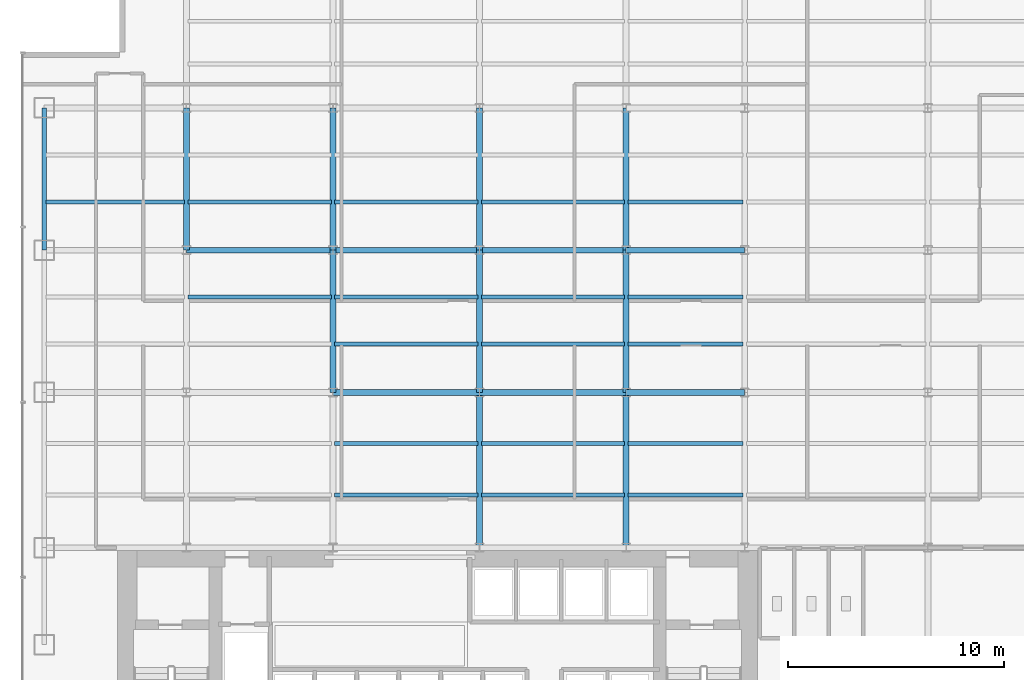
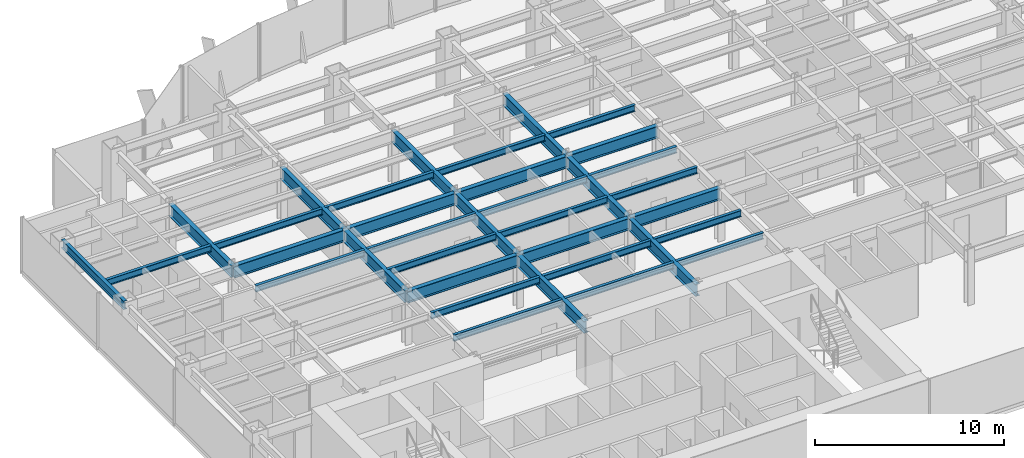
# One storey, part 5 of 22: 35 beams.
"""IFC4 building model written with IfcOpenShell, lengths in metres."""

from ifc_helpers import new_model, si_unit, derived_unit, direction, frame, origin, origin_2d, place, context, subcontext, project, spatial, i_section, extrude, source, transform, mapped, material, material_profile, profile_set, type_object, element, save


model = new_model("IFC4")

# Units and contexts
model_context = context("Model", 3, precision=1e-05, world=origin(), true_north=direction((0.0, 1.0)))
body_context = subcontext(model_context, "Body", "Model", "MODEL_VIEW")
ifc_project = project(units=[si_unit("LENGTHUNIT", "METRE"), si_unit("AREAUNIT", "SQUARE_METRE"), si_unit("VOLUMEUNIT", "CUBIC_METRE"), si_unit("PLANEANGLEUNIT", "RADIAN"), si_unit("MASSUNIT", "GRAM", prefix="KILO"), derived_unit("THERMALTRANSMITTANCEUNIT", [(si_unit("POWERUNIT", "WATT"), 1), (si_unit("LENGTHUNIT", "METRE"), -2), (si_unit("THERMODYNAMICTEMPERATUREUNIT", "KELVIN"), -1)])], contexts=[model_context])

# Site, building, storey
site_placement = place(None, origin())
site = spatial("IfcSite", under=ifc_project, at=site_placement, CompositionType="ELEMENT")
building_placement = place(site_placement, origin())
building = spatial("IfcBuilding", under=site, at=building_placement, Name="Skarnbrae Concourse Arena and Tower", CompositionType="ELEMENT")
storey_placement = place(building_placement, frame((0.0, 0.0, 32.5)))
storey = spatial("IfcBuildingStorey", under=building, at=storey_placement, Name="L06", CompositionType="ELEMENT", Elevation=32.5)

# Beams
ifc_material = material(Name="Steel CSA G40.21 350W", Category="steel")
ifc_material_profile_1 = material_profile(ifc_material, i_section(OverallWidth=0.26806640625, OverallDepth=0.77001953125, WebThickness=0.015625, FlangeThickness=0.025390625, at=origin_2d()), Name="W760X196")
ifc_profile_set_1 = profile_set([ifc_material_profile_1], Name="Steel CSA G40.21 350W")
beam_type_1 = type_object("IfcBeamType", Name="BM-GIRD-W760X196", PredefinedType="BEAM", material=ifc_profile_set_1)
shared_shape_1 = source(origin(), body_context, "Body", "SweptSolid", [
    extrude(i_section(OverallWidth=0.26806640625, OverallDepth=0.77001953125, WebThickness=0.015625, FlangeThickness=0.025390625, at=origin_2d()), origin(), (0.0, 0.0, 1.0), 6.60009765625),
])
for number, where, z_axis, x_axis, name in (
    (1, (14.39990234375, 21.199951171875, 3.014892578125), (0.0, 1.0, 0.0), (-1.0, 0.0, 0.0), "L06 Primary N-S girder X14.4-2"),
    (2, (21.199951171875, 21.199951171875, 3.014892578125), (0.0, 1.0, 0.0), (-1.0, 0.0, 0.0), "L06 Primary N-S girder X21.2-2"),
    (3, (28.0, 21.199951171875, 3.014892578125), (0.0, 1.0, 0.0), (-1.0, 0.0, 0.0), "L06 Primary N-S girder X28.0-2"),
):
    element("IfcBeam", number, at=place(storey_placement, frame(where, z_axis=z_axis, x_axis=x_axis)), inside=storey, type_object=beam_type_1, Name=name, PredefinedType="BEAM", context=body_context, shape_type="MappedRepresentation", body=[
        mapped(shared_shape_1, transform((0.0, 0.0, 0.0))),
    ])
shared_shape_2 = source(origin(), body_context, "Body", "SweptSolid", [
    extrude(i_section(OverallWidth=0.26806640625, OverallDepth=0.77001953125, WebThickness=0.015625, FlangeThickness=0.025390625, at=origin_2d()), origin(), (0.0, 0.0, 1.0), 6.7998046875),
])
beam_1_placement = place(storey_placement, frame((7.60009765625, 27.800048828125, 3.014892578125), z_axis=(1.0, 0.0, 0.0), x_axis=(0.0, 1.0, 0.0)))
element("IfcBeam", 4, at=beam_1_placement, inside=storey, type_object=beam_type_1, Name="L06 Primary E-W girder Y27.8-2", PredefinedType="BEAM", context=body_context, shape_type="MappedRepresentation", body=[
    mapped(shared_shape_2, transform((0.0, 0.0, 0.0))),
])
shared_shape_3 = source(origin(), body_context, "Body", "SweptSolid", [
    extrude(i_section(OverallWidth=0.26806640625, OverallDepth=0.77001953125, WebThickness=0.015625, FlangeThickness=0.025390625, at=origin_2d()), origin(), (0.0, 0.0, 1.0), 6.800048828125),
])
for number, where, z_axis, x_axis, name in (
    (5, (14.39990234375, 21.199951171875, 3.014892578125), (1.0, 0.0, 0.0), (0.0, 1.0, 0.0), "L06 Primary E-W girder Y21.2-3"),
    (6, (21.199951171875, 21.199951171875, 3.014892578125), (1.0, 0.0, 0.0), (0.0, 1.0, 0.0), "L06 Primary E-W girder Y21.2-4"),
    (7, (14.39990234375, 27.800048828125, 3.014892578125), (1.0, 0.0, 0.0), (0.0, 1.0, 0.0), "L06 Primary E-W girder Y27.8-3"),
    (8, (21.199951171875, 27.800048828125, 3.014892578125), (1.0, 0.0, 0.0), (0.0, 1.0, 0.0), "L06 Primary E-W girder Y27.8-4"),
):
    element("IfcBeam", number, at=place(storey_placement, frame(where, z_axis=z_axis, x_axis=x_axis)), inside=storey, type_object=beam_type_1, Name=name, PredefinedType="BEAM", context=body_context, shape_type="MappedRepresentation", body=[
        mapped(shared_shape_3, transform((0.0, 0.0, 0.0))),
    ])
shared_shape_4 = source(origin(), body_context, "Body", "SweptSolid", [
    extrude(i_section(OverallWidth=0.26806640625, OverallDepth=0.77001953125, WebThickness=0.015625, FlangeThickness=0.025390625, at=origin_2d()), origin(), (0.0, 0.0, 1.0), 5.5),
])
for number, where, z_axis, x_axis, name in (
    (9, (28.0, 21.199951171875, 3.014892578125), (1.0, 0.0, 0.0), (0.0, 1.0, 0.0), "L06 Primary E-W girder Y21.2-5"),
    (10, (28.0, 27.800048828125, 3.014892578125), (1.0, 0.0, 0.0), (0.0, 1.0, 0.0), "L06 Primary E-W girder Y27.8-5"),
):
    element("IfcBeam", number, at=place(storey_placement, frame(where, z_axis=z_axis, x_axis=x_axis)), inside=storey, type_object=beam_type_1, Name=name, PredefinedType="BEAM", context=body_context, shape_type="MappedRepresentation", body=[
        mapped(shared_shape_4, transform((0.0, 0.0, 0.0))),
    ])
ifc_material_profile_2 = material_profile(ifc_material, i_section(OverallWidth=0.214111328125, OverallDepth=0.549072265625, WebThickness=0.0146484375, FlangeThickness=0.023681640625, at=origin_2d()), Name="W530X138")
ifc_profile_set_2 = profile_set([ifc_material_profile_2], Name="Steel CSA G40.21 350W")
beam_type_2 = type_object("IfcBeamType", Name="BM-SPAN-W530X138", PredefinedType="SPANDREL", material=ifc_profile_set_2)
shared_shape_5 = source(origin(), body_context, "Body", "SweptSolid", [
    extrude(i_section(OverallWidth=0.214111328125, OverallDepth=0.549072265625, WebThickness=0.0146484375, FlangeThickness=0.023681640625, at=origin_2d()), origin(), (0.0, 0.0, 1.0), 6.599853515625),
])
beam_2_placement = place(storey_placement, frame((1.0, 27.800048828125, 3.12548828125), z_axis=(0.0, 1.0, 0.0), x_axis=(-1.0, 0.0, 0.0)))
element("IfcBeam", 11, at=beam_2_placement, inside=storey, type_object=beam_type_2, Name="L06 Perimeter spandrel X1.0-4", PredefinedType="SPANDREL", context=body_context, shape_type="MappedRepresentation", body=[
    mapped(shared_shape_5, transform((0.0, 0.0, 0.0))),
])
shared_shape_6 = source(origin(), body_context, "Body", "SweptSolid", [
    extrude(i_section(OverallWidth=0.26806640625, OverallDepth=0.77001953125, WebThickness=0.015625, FlangeThickness=0.025390625, at=origin_2d()), origin(), (0.0, 0.0, 1.0), 7.199951171875),
])
for number, where, z_axis, x_axis, name in (
    (12, (21.199951171875, 14.0, 3.014892578125), (0.0, 1.0, 0.0), (-1.0, 0.0, 0.0), "L06 Primary N-S girder X21.2-1"),
    (13, (28.0, 14.0, 3.014892578125), (0.0, 1.0, 0.0), (-1.0, 0.0, 0.0), "L06 Primary N-S girder X28.0-1"),
):
    element("IfcBeam", number, at=place(storey_placement, frame(where, z_axis=z_axis, x_axis=x_axis)), inside=storey, type_object=beam_type_1, Name=name, PredefinedType="BEAM", context=body_context, shape_type="MappedRepresentation", body=[
        mapped(shared_shape_6, transform((0.0, 0.0, 0.0))),
    ])
shared_shape_7 = source(origin(), body_context, "Body", "SweptSolid", [
    extrude(i_section(OverallWidth=0.26806640625, OverallDepth=0.77001953125, WebThickness=0.015625, FlangeThickness=0.025390625, at=origin_2d()), origin(), (0.0, 0.0, 1.0), 6.599853515625),
])
for number, where, z_axis, x_axis, name in (
    (14, (7.60009765625, 27.800048828125, 3.014892578125), (0.0, 1.0, 0.0), (-1.0, 0.0, 0.0), "L06 Primary N-S girder X7.6-3"),
    (15, (14.39990234375, 27.800048828125, 3.014892578125), (0.0, 1.0, 0.0), (-1.0, 0.0, 0.0), "L06 Primary N-S girder X14.4-3"),
    (16, (21.199951171875, 27.800048828125, 3.014892578125), (0.0, 1.0, 0.0), (-1.0, 0.0, 0.0), "L06 Primary N-S girder X21.2-3"),
    (17, (28.0, 27.800048828125, 3.014892578125), (0.0, 1.0, 0.0), (-1.0, 0.0, 0.0), "L06 Primary N-S girder X28.0-3"),
):
    element("IfcBeam", number, at=place(storey_placement, frame(where, z_axis=z_axis, x_axis=x_axis)), inside=storey, type_object=beam_type_1, Name=name, PredefinedType="BEAM", context=body_context, shape_type="MappedRepresentation", body=[
        mapped(shared_shape_7, transform((0.0, 0.0, 0.0))),
    ])
ifc_material_profile_3 = material_profile(ifc_material, i_section(OverallWidth=0.180908203125, OverallDepth=0.4169921875, WebThickness=0.010986328125, FlangeThickness=0.018310546875, at=origin_2d()), Name="W410X85")
ifc_profile_set_3 = profile_set([ifc_material_profile_3], Name="Steel CSA G40.21 350W")
beam_type_3 = type_object("IfcBeamType", Name="BM-JOIST-W410X85", PredefinedType="JOIST", material=ifc_profile_set_3)
shared_shape_8 = source(origin(), body_context, "Body", "SweptSolid", [
    extrude(i_section(OverallWidth=0.180908203125, OverallDepth=0.4169921875, WebThickness=0.010986328125, FlangeThickness=0.018310546875, at=origin_2d()), origin(), (0.0, 0.0, 1.0), 6.43994140625),
])
beam_3_placement = place(storey_placement, frame((1.080078125, 30.0439453125, 3.19140625), z_axis=(1.0, 0.0, 0.0), x_axis=(0.0, 1.0, 0.0)))
element("IfcBeam", 18, at=beam_3_placement, inside=storey, type_object=beam_type_3, Name="L06 Secondary floor joist 3.1.1", PredefinedType="JOIST", context=body_context, shape_type="MappedRepresentation", body=[
    mapped(shared_shape_8, transform((0.0, 0.0, 0.0))),
])
shared_shape_9 = source(origin(), body_context, "Body", "SweptSolid", [
    extrude(i_section(OverallWidth=0.180908203125, OverallDepth=0.4169921875, WebThickness=0.010986328125, FlangeThickness=0.018310546875, at=origin_2d()), origin(), (0.0, 0.0, 1.0), 6.64013671875),
])
for number, where, z_axis, x_axis, name in (
    (19, (14.47998046875, 16.447998046875, 3.19140625), (1.0, 0.0, 0.0), (0.0, 1.0, 0.0), "L06 Secondary floor joist 1.1.3"),
    (20, (14.47998046875, 18.823974609375, 3.19140625), (1.0, 0.0, 0.0), (0.0, 1.0, 0.0), "L06 Secondary floor joist 1.2.3"),
    (21, (14.47998046875, 23.444091796875, 3.19140625), (1.0, 0.0, 0.0), (0.0, 1.0, 0.0), "L06 Secondary floor joist 2.1.3"),
    (22, (7.679931640625, 25.6220703125, 3.19140625), (1.0, 0.0, 0.0), (0.0, 1.0, 0.0), "L06 Secondary floor joist 2.2.2"),
    (23, (14.47998046875, 25.6220703125, 3.19140625), (1.0, 0.0, 0.0), (0.0, 1.0, 0.0), "L06 Secondary floor joist 2.2.3"),
    (24, (7.679931640625, 30.0439453125, 3.19140625), (1.0, 0.0, 0.0), (0.0, 1.0, 0.0), "L06 Secondary floor joist 3.1.2"),
    (25, (14.47998046875, 30.0439453125, 3.19140625), (1.0, 0.0, 0.0), (0.0, 1.0, 0.0), "L06 Secondary floor joist 3.1.3"),
):
    element("IfcBeam", number, at=place(storey_placement, frame(where, z_axis=z_axis, x_axis=x_axis)), inside=storey, type_object=beam_type_3, Name=name, PredefinedType="JOIST", context=body_context, shape_type="MappedRepresentation", body=[
        mapped(shared_shape_9, transform((0.0, 0.0, 0.0))),
    ])
shared_shape_10 = source(origin(), body_context, "Body", "SweptSolid", [
    extrude(i_section(OverallWidth=0.180908203125, OverallDepth=0.4169921875, WebThickness=0.010986328125, FlangeThickness=0.018310546875, at=origin_2d()), origin(), (0.0, 0.0, 1.0), 6.639892578125),
])
for number, where, z_axis, x_axis, name in (
    (26, (21.280029296875, 16.447998046875, 3.19140625), (1.0, 0.0, 0.0), (0.0, 1.0, 0.0), "L06 Secondary floor joist 1.1.4"),
    (27, (21.280029296875, 18.823974609375, 3.19140625), (1.0, 0.0, 0.0), (0.0, 1.0, 0.0), "L06 Secondary floor joist 1.2.4"),
    (28, (21.280029296875, 23.444091796875, 3.19140625), (1.0, 0.0, 0.0), (0.0, 1.0, 0.0), "L06 Secondary floor joist 2.1.4"),
    (29, (21.280029296875, 25.6220703125, 3.19140625), (1.0, 0.0, 0.0), (0.0, 1.0, 0.0), "L06 Secondary floor joist 2.2.4"),
    (30, (21.280029296875, 30.0439453125, 3.19140625), (1.0, 0.0, 0.0), (0.0, 1.0, 0.0), "L06 Secondary floor joist 3.1.4"),
):
    element("IfcBeam", number, at=place(storey_placement, frame(where, z_axis=z_axis, x_axis=x_axis)), inside=storey, type_object=beam_type_3, Name=name, PredefinedType="JOIST", context=body_context, shape_type="MappedRepresentation", body=[
        mapped(shared_shape_10, transform((0.0, 0.0, 0.0))),
    ])
shared_shape_11 = source(origin(), body_context, "Body", "SweptSolid", [
    extrude(i_section(OverallWidth=0.180908203125, OverallDepth=0.4169921875, WebThickness=0.010986328125, FlangeThickness=0.018310546875, at=origin_2d()), origin(), (0.0, 0.0, 1.0), 5.33984375),
])
for number, where, z_axis, x_axis, name in (
    (31, (28.080078125, 16.447998046875, 3.19140625), (1.0, 0.0, 0.0), (0.0, 1.0, 0.0), "L06 Secondary floor joist 1.1.5"),
    (32, (28.080078125, 18.823974609375, 3.19140625), (1.0, 0.0, 0.0), (0.0, 1.0, 0.0), "L06 Secondary floor joist 1.2.5"),
    (33, (28.080078125, 23.444091796875, 3.19140625), (1.0, 0.0, 0.0), (0.0, 1.0, 0.0), "L06 Secondary floor joist 2.1.5"),
    (34, (28.080078125, 25.6220703125, 3.19140625), (1.0, 0.0, 0.0), (0.0, 1.0, 0.0), "L06 Secondary floor joist 2.2.5"),
    (35, (28.080078125, 30.0439453125, 3.19140625), (1.0, 0.0, 0.0), (0.0, 1.0, 0.0), "L06 Secondary floor joist 3.1.5"),
):
    element("IfcBeam", number, at=place(storey_placement, frame(where, z_axis=z_axis, x_axis=x_axis)), inside=storey, type_object=beam_type_3, Name=name, PredefinedType="JOIST", context=body_context, shape_type="MappedRepresentation", body=[
        mapped(shared_shape_11, transform((0.0, 0.0, 0.0))),
    ])

save(model, "model.ifc")
